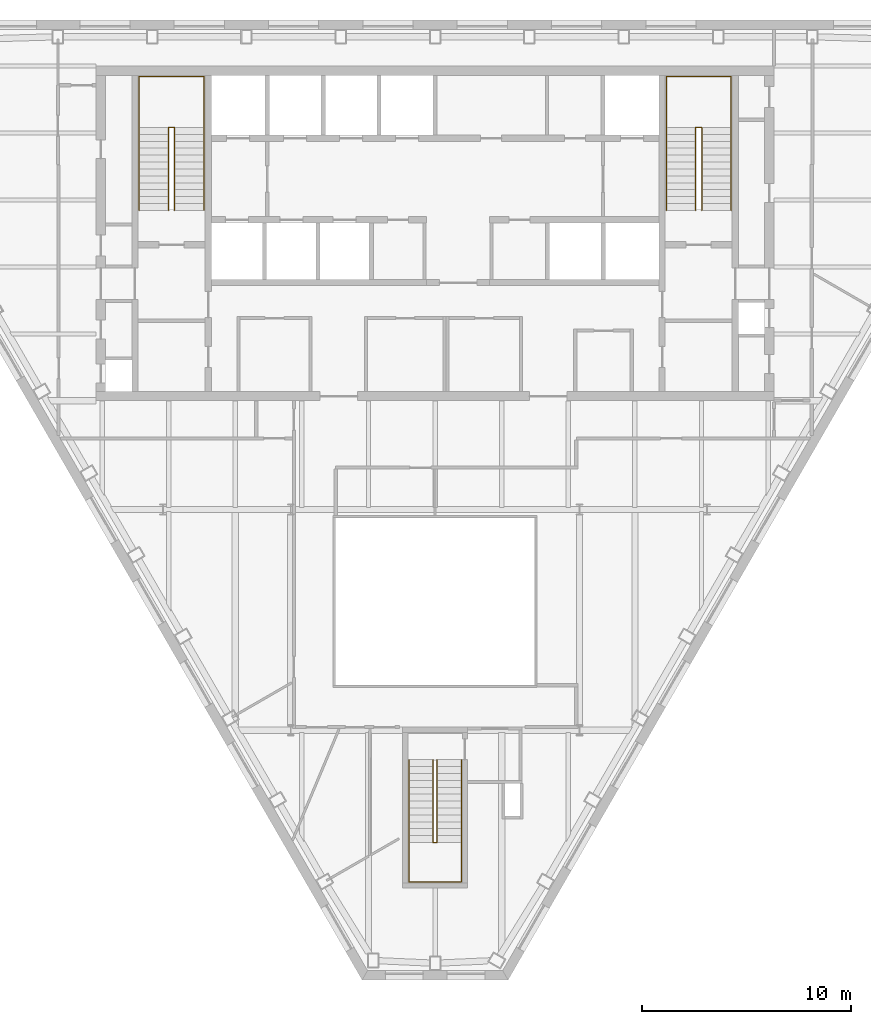
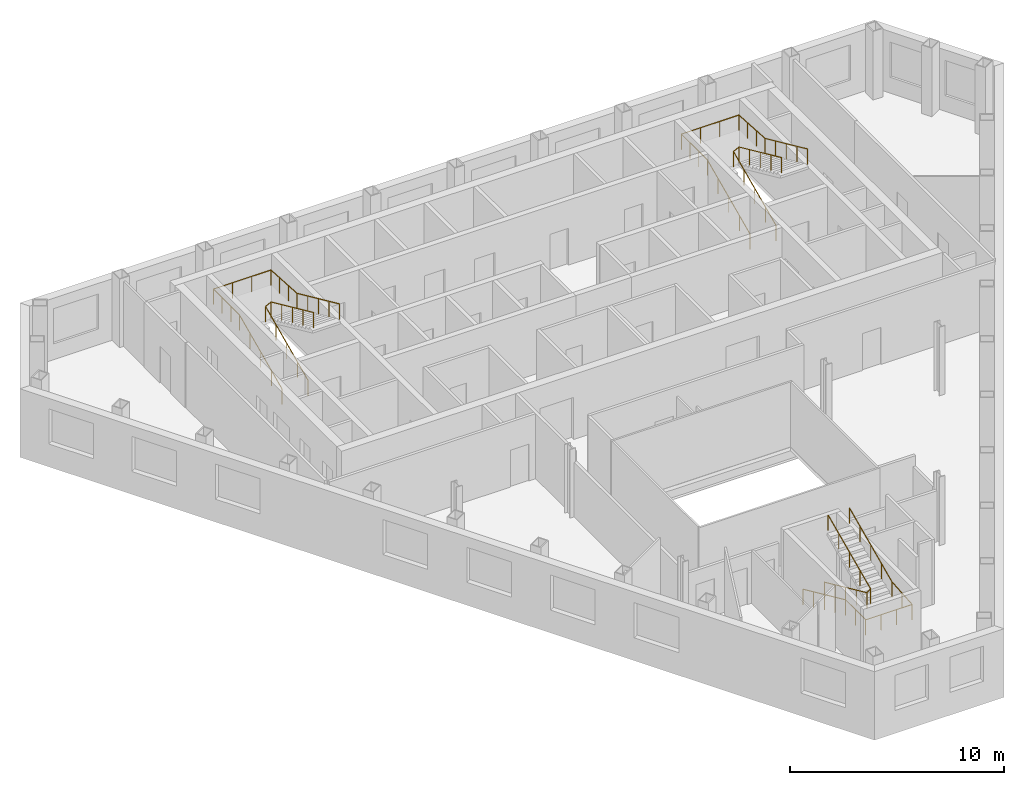
# One storey, part 11 of 11: 6 railings.
"""IFC4 building model written with IfcOpenShell, lengths in metres."""

from ifc_helpers import new_model, si_unit, direction, frame, origin, origin_2d, place, context, subcontext, project, spatial, circle, extrude, material, type_object, element, save


model = new_model("IFC4")

# Units and contexts
model_context = context("Model", 3, precision=1e-05, world=origin(), true_north=direction((0.0, 1.0)))
body_context = subcontext(model_context, "Body", "Model", "MODEL_VIEW")
ifc_project = project(units=[si_unit("LENGTHUNIT", "METRE"), si_unit("AREAUNIT", "SQUARE_METRE"), si_unit("VOLUMEUNIT", "CUBIC_METRE"), si_unit("PLANEANGLEUNIT", "RADIAN"), si_unit("MASSUNIT", "GRAM", prefix="KILO")], contexts=[model_context])

# Site, building, storey
site_placement = place(None, origin())
site = spatial("IfcSite", under=ifc_project, at=site_placement, CompositionType="ELEMENT")
building_placement = place(site_placement, origin())
building = spatial("IfcBuilding", under=site, at=building_placement, Name="Njiva Tower", CompositionType="ELEMENT")
storey_placement = place(building_placement, frame((0.0, 0.0, 219.9)))
storey = spatial("IfcBuildingStorey", under=building, at=storey_placement, Name="L49", CompositionType="ELEMENT", Elevation=219.9)

# Railings
ifc_material = material(Name="Stainless steel", Category="steel")
railing_type = type_object("IfcRailingType", Name="RL1 Stair handrail 900", PredefinedType="HANDRAIL", material=ifc_material)
railing_1_placement = place(storey_placement, frame((-14.15, 11.1, 0.15)))
element("IfcRailing", 1, at=railing_1_placement, inside=storey, type_object=railing_type, Name="Stair A handrail", PredefinedType="HANDRAIL", context=body_context, shape_type="SweptSolid", body=[
    extrude(circle(Radius=0.024, at=origin_2d()), frame((0.0, 0.0, 0.876), z_axis=(0.0, 0.910366477463, 0.413802944301), x_axis=(-1.0, 0.0, 0.0)), (0.0, 0.0, 1.0), 4.3499),
    extrude(circle(Radius=0.024, at=origin_2d()), frame((0.0, 3.96, 2.676), z_axis=(0.0, 1.0, 0.0), x_axis=(-1.0, 0.0, 0.0)), (0.0, 0.0, 1.0), 2.44),
    extrude(circle(Radius=0.024, at=origin_2d()), frame((0.0, 6.4, 2.676), z_axis=(1.0, 0.0, 0.0), x_axis=(0.0, 1.0, 0.0)), (0.0, 0.0, 1.0), 3.1),
    extrude(circle(Radius=0.024, at=origin_2d()), frame((3.1, 6.4, 2.676), z_axis=(0.0, -0.998115726137, 0.061359573328), x_axis=(1.0, 0.0, 0.0)), (0.0, 0.0, 1.0), 2.4446),
    extrude(circle(Radius=0.024, at=origin_2d()), frame((3.1, 3.96, 2.826), z_axis=(0.0, -0.910366477463, 0.413802944301), x_axis=(1.0, 0.0, 0.0)), (0.0, 0.0, 1.0), 4.3499),
    extrude(circle(Radius=0.021, at=origin_2d()), origin(), (0.0, 0.0, 1.0), 0.852),
    extrude(circle(Radius=0.021, at=origin_2d()), frame((0.0, 0.99, 0.45)), (0.0, 0.0, 1.0), 0.852),
    extrude(circle(Radius=0.021, at=origin_2d()), frame((0.0, 1.98, 0.9)), (0.0, 0.0, 1.0), 0.852),
    extrude(circle(Radius=0.021, at=origin_2d()), frame((0.0, 2.97, 1.35)), (0.0, 0.0, 1.0), 0.852),
    extrude(circle(Radius=0.021, at=origin_2d()), frame((0.0, 3.96, 1.8)), (0.0, 0.0, 1.0), 0.852),
    extrude(circle(Radius=0.021, at=origin_2d()), frame((0.0, 4.7733, 1.8)), (0.0, 0.0, 1.0), 0.852),
    extrude(circle(Radius=0.021, at=origin_2d()), frame((0.0, 5.5867, 1.8)), (0.0, 0.0, 1.0), 0.852),
    extrude(circle(Radius=0.021, at=origin_2d()), frame((0.0, 6.4, 1.8)), (0.0, 0.0, 1.0), 0.852),
    extrude(circle(Radius=0.021, at=origin_2d()), frame((1.0333, 6.4, 1.8)), (0.0, 0.0, 1.0), 0.852),
    extrude(circle(Radius=0.021, at=origin_2d()), frame((2.0667, 6.4, 1.8)), (0.0, 0.0, 1.0), 0.852),
    extrude(circle(Radius=0.021, at=origin_2d()), frame((3.1, 6.4, 1.8)), (0.0, 0.0, 1.0), 0.852),
    extrude(circle(Radius=0.021, at=origin_2d()), frame((3.1, 5.5867, 1.85)), (0.0, 0.0, 1.0), 0.852),
    extrude(circle(Radius=0.021, at=origin_2d()), frame((3.1, 4.7733, 1.9)), (0.0, 0.0, 1.0), 0.852),
    extrude(circle(Radius=0.021, at=origin_2d()), frame((3.1, 3.96, 1.95)), (0.0, 0.0, 1.0), 0.852),
    extrude(circle(Radius=0.021, at=origin_2d()), frame((3.1, 2.97, 2.4)), (0.0, 0.0, 1.0), 0.852),
    extrude(circle(Radius=0.021, at=origin_2d()), frame((3.1, 1.98, 2.85)), (0.0, 0.0, 1.0), 0.852),
    extrude(circle(Radius=0.021, at=origin_2d()), frame((3.1, 0.99, 3.3)), (0.0, 0.0, 1.0), 0.852),
    extrude(circle(Radius=0.021, at=origin_2d()), frame((3.1, 0.0, 3.75)), (0.0, 0.0, 1.0), 0.852),
])
railing_2_placement = place(storey_placement, frame((-12.75, 11.1, 0.15)))
element("IfcRailing", 2, at=railing_2_placement, inside=storey, type_object=railing_type, Name="Stair A handrail", PredefinedType="HANDRAIL", context=body_context, shape_type="SweptSolid", body=[
    extrude(circle(Radius=0.024, at=origin_2d()), frame((0.0, 0.0, 0.876), z_axis=(0.0, 0.910366477463, 0.413802944301), x_axis=(-1.0, 0.0, 0.0)), (0.0, 0.0, 1.0), 4.3499),
    extrude(circle(Radius=0.024, at=origin_2d()), frame((0.0, 3.96, 2.676), z_axis=(0.894427191, 0.0, 0.4472135955), x_axis=(0.0, 1.0, 0.0)), (0.0, 0.0, 1.0), 0.3354),
    extrude(circle(Radius=0.024, at=origin_2d()), frame((0.3, 3.96, 2.826), z_axis=(0.0, -0.910366477463, 0.413802944301), x_axis=(1.0, 0.0, 0.0)), (0.0, 0.0, 1.0), 4.3499),
    extrude(circle(Radius=0.021, at=origin_2d()), origin(), (0.0, 0.0, 1.0), 0.852),
    extrude(circle(Radius=0.021, at=origin_2d()), frame((0.0, 0.99, 0.45)), (0.0, 0.0, 1.0), 0.852),
    extrude(circle(Radius=0.021, at=origin_2d()), frame((0.0, 1.98, 0.9)), (0.0, 0.0, 1.0), 0.852),
    extrude(circle(Radius=0.021, at=origin_2d()), frame((0.0, 2.97, 1.35)), (0.0, 0.0, 1.0), 0.852),
    extrude(circle(Radius=0.021, at=origin_2d()), frame((0.0, 3.96, 1.8)), (0.0, 0.0, 1.0), 0.852),
    extrude(circle(Radius=0.021, at=origin_2d()), frame((0.3, 3.96, 1.95)), (0.0, 0.0, 1.0), 0.852),
    extrude(circle(Radius=0.021, at=origin_2d()), frame((0.3, 2.97, 2.4)), (0.0, 0.0, 1.0), 0.852),
    extrude(circle(Radius=0.021, at=origin_2d()), frame((0.3, 1.98, 2.85)), (0.0, 0.0, 1.0), 0.852),
    extrude(circle(Radius=0.021, at=origin_2d()), frame((0.3, 0.99, 3.3)), (0.0, 0.0, 1.0), 0.852),
    extrude(circle(Radius=0.021, at=origin_2d()), frame((0.3, 0.0, 3.75)), (0.0, 0.0, 1.0), 0.852),
])
railing_3_placement = place(storey_placement, frame((11.05, 11.1, 0.15)))
element("IfcRailing", 3, at=railing_3_placement, inside=storey, type_object=railing_type, Name="Stair B handrail", PredefinedType="HANDRAIL", context=body_context, shape_type="SweptSolid", body=[
    extrude(circle(Radius=0.024, at=origin_2d()), frame((0.0, 0.0, 0.876), z_axis=(0.0, 0.910366477463, 0.413802944301), x_axis=(-1.0, 0.0, 0.0)), (0.0, 0.0, 1.0), 4.3499),
    extrude(circle(Radius=0.024, at=origin_2d()), frame((0.0, 3.96, 2.676), z_axis=(0.0, 1.0, 0.0), x_axis=(-1.0, 0.0, 0.0)), (0.0, 0.0, 1.0), 2.44),
    extrude(circle(Radius=0.024, at=origin_2d()), frame((0.0, 6.4, 2.676), z_axis=(1.0, 0.0, 0.0), x_axis=(0.0, 1.0, 0.0)), (0.0, 0.0, 1.0), 3.1),
    extrude(circle(Radius=0.024, at=origin_2d()), frame((3.1, 6.4, 2.676), z_axis=(0.0, -0.998115726137, 0.061359573328), x_axis=(1.0, 0.0, 0.0)), (0.0, 0.0, 1.0), 2.4446),
    extrude(circle(Radius=0.024, at=origin_2d()), frame((3.1, 3.96, 2.826), z_axis=(0.0, -0.910366477463, 0.413802944301), x_axis=(1.0, 0.0, 0.0)), (0.0, 0.0, 1.0), 4.3499),
    extrude(circle(Radius=0.021, at=origin_2d()), origin(), (0.0, 0.0, 1.0), 0.852),
    extrude(circle(Radius=0.021, at=origin_2d()), frame((0.0, 0.99, 0.45)), (0.0, 0.0, 1.0), 0.852),
    extrude(circle(Radius=0.021, at=origin_2d()), frame((0.0, 1.98, 0.9)), (0.0, 0.0, 1.0), 0.852),
    extrude(circle(Radius=0.021, at=origin_2d()), frame((0.0, 2.97, 1.35)), (0.0, 0.0, 1.0), 0.852),
    extrude(circle(Radius=0.021, at=origin_2d()), frame((0.0, 3.96, 1.8)), (0.0, 0.0, 1.0), 0.852),
    extrude(circle(Radius=0.021, at=origin_2d()), frame((0.0, 4.7733, 1.8)), (0.0, 0.0, 1.0), 0.852),
    extrude(circle(Radius=0.021, at=origin_2d()), frame((0.0, 5.5867, 1.8)), (0.0, 0.0, 1.0), 0.852),
    extrude(circle(Radius=0.021, at=origin_2d()), frame((0.0, 6.4, 1.8)), (0.0, 0.0, 1.0), 0.852),
    extrude(circle(Radius=0.021, at=origin_2d()), frame((1.0333, 6.4, 1.8)), (0.0, 0.0, 1.0), 0.852),
    extrude(circle(Radius=0.021, at=origin_2d()), frame((2.0667, 6.4, 1.8)), (0.0, 0.0, 1.0), 0.852),
    extrude(circle(Radius=0.021, at=origin_2d()), frame((3.1, 6.4, 1.8)), (0.0, 0.0, 1.0), 0.852),
    extrude(circle(Radius=0.021, at=origin_2d()), frame((3.1, 5.5867, 1.85)), (0.0, 0.0, 1.0), 0.852),
    extrude(circle(Radius=0.021, at=origin_2d()), frame((3.1, 4.7733, 1.9)), (0.0, 0.0, 1.0), 0.852),
    extrude(circle(Radius=0.021, at=origin_2d()), frame((3.1, 3.96, 1.95)), (0.0, 0.0, 1.0), 0.852),
    extrude(circle(Radius=0.021, at=origin_2d()), frame((3.1, 2.97, 2.4)), (0.0, 0.0, 1.0), 0.852),
    extrude(circle(Radius=0.021, at=origin_2d()), frame((3.1, 1.98, 2.85)), (0.0, 0.0, 1.0), 0.852),
    extrude(circle(Radius=0.021, at=origin_2d()), frame((3.1, 0.99, 3.3)), (0.0, 0.0, 1.0), 0.852),
    extrude(circle(Radius=0.021, at=origin_2d()), frame((3.1, 0.0, 3.75)), (0.0, 0.0, 1.0), 0.852),
])
railing_4_placement = place(storey_placement, frame((12.45, 11.1, 0.15)))
element("IfcRailing", 4, at=railing_4_placement, inside=storey, type_object=railing_type, Name="Stair B handrail", PredefinedType="HANDRAIL", context=body_context, shape_type="SweptSolid", body=[
    extrude(circle(Radius=0.024, at=origin_2d()), frame((0.0, 0.0, 0.876), z_axis=(0.0, 0.910366477463, 0.413802944301), x_axis=(-1.0, 0.0, 0.0)), (0.0, 0.0, 1.0), 4.3499),
    extrude(circle(Radius=0.024, at=origin_2d()), frame((0.0, 3.96, 2.676), z_axis=(0.894427191, 0.0, 0.4472135955), x_axis=(0.0, 1.0, 0.0)), (0.0, 0.0, 1.0), 0.3354),
    extrude(circle(Radius=0.024, at=origin_2d()), frame((0.3, 3.96, 2.826), z_axis=(0.0, -0.910366477463, 0.413802944301), x_axis=(1.0, 0.0, 0.0)), (0.0, 0.0, 1.0), 4.3499),
    extrude(circle(Radius=0.021, at=origin_2d()), origin(), (0.0, 0.0, 1.0), 0.852),
    extrude(circle(Radius=0.021, at=origin_2d()), frame((0.0, 0.99, 0.45)), (0.0, 0.0, 1.0), 0.852),
    extrude(circle(Radius=0.021, at=origin_2d()), frame((0.0, 1.98, 0.9)), (0.0, 0.0, 1.0), 0.852),
    extrude(circle(Radius=0.021, at=origin_2d()), frame((0.0, 2.97, 1.35)), (0.0, 0.0, 1.0), 0.852),
    extrude(circle(Radius=0.021, at=origin_2d()), frame((0.0, 3.96, 1.8)), (0.0, 0.0, 1.0), 0.852),
    extrude(circle(Radius=0.021, at=origin_2d()), frame((0.3, 3.96, 1.95)), (0.0, 0.0, 1.0), 0.852),
    extrude(circle(Radius=0.021, at=origin_2d()), frame((0.3, 2.97, 2.4)), (0.0, 0.0, 1.0), 0.852),
    extrude(circle(Radius=0.021, at=origin_2d()), frame((0.3, 1.98, 2.85)), (0.0, 0.0, 1.0), 0.852),
    extrude(circle(Radius=0.021, at=origin_2d()), frame((0.3, 0.99, 3.3)), (0.0, 0.0, 1.0), 0.852),
    extrude(circle(Radius=0.021, at=origin_2d()), frame((0.3, 0.0, 3.75)), (0.0, 0.0, 1.0), 0.852),
])
railing_5_placement = place(storey_placement, frame((-1.25, -15.16, 0.15)))
element("IfcRailing", 5, at=railing_5_placement, inside=storey, type_object=railing_type, Name="Stair C handrail", PredefinedType="HANDRAIL", context=body_context, shape_type="SweptSolid", body=[
    extrude(circle(Radius=0.024, at=origin_2d()), frame((0.0, 0.0, 0.876), z_axis=(0.0, -0.910366477463, 0.413802944301), x_axis=(1.0, 0.0, 0.0)), (0.0, 0.0, 1.0), 4.3499),
    extrude(circle(Radius=0.024, at=origin_2d()), frame((0.0, -3.96, 2.676), z_axis=(0.0, -1.0, 0.0), x_axis=(1.0, 0.0, 0.0)), (0.0, 0.0, 1.0), 1.88),
    extrude(circle(Radius=0.024, at=origin_2d()), frame((0.0, -5.84, 2.676), z_axis=(1.0, 0.0, 0.0), x_axis=(0.0, 1.0, 0.0)), (0.0, 0.0, 1.0), 2.5),
    extrude(circle(Radius=0.024, at=origin_2d()), frame((2.5, -5.84, 2.676), z_axis=(0.0, 0.996832115713, 0.079534477318), x_axis=(-1.0, 0.0, 0.0)), (0.0, 0.0, 1.0), 1.886),
    extrude(circle(Radius=0.024, at=origin_2d()), frame((2.5, -3.96, 2.826), z_axis=(0.0, 0.910366477463, 0.413802944301), x_axis=(-1.0, 0.0, 0.0)), (0.0, 0.0, 1.0), 4.3499),
    extrude(circle(Radius=0.021, at=origin_2d()), origin(), (0.0, 0.0, 1.0), 0.852),
    extrude(circle(Radius=0.021, at=origin_2d()), frame((0.0, -0.99, 0.45)), (0.0, 0.0, 1.0), 0.852),
    extrude(circle(Radius=0.021, at=origin_2d()), frame((0.0, -1.98, 0.9)), (0.0, 0.0, 1.0), 0.852),
    extrude(circle(Radius=0.021, at=origin_2d()), frame((0.0, -2.97, 1.35)), (0.0, 0.0, 1.0), 0.852),
    extrude(circle(Radius=0.021, at=origin_2d()), frame((0.0, -3.96, 1.8)), (0.0, 0.0, 1.0), 0.852),
    extrude(circle(Radius=0.021, at=origin_2d()), frame((0.0, -4.9, 1.8)), (0.0, 0.0, 1.0), 0.852),
    extrude(circle(Radius=0.021, at=origin_2d()), frame((0.0, -5.84, 1.8)), (0.0, 0.0, 1.0), 0.852),
    extrude(circle(Radius=0.021, at=origin_2d()), frame((0.8333, -5.84, 1.8)), (0.0, 0.0, 1.0), 0.852),
    extrude(circle(Radius=0.021, at=origin_2d()), frame((1.6667, -5.84, 1.8)), (0.0, 0.0, 1.0), 0.852),
    extrude(circle(Radius=0.021, at=origin_2d()), frame((2.5, -5.84, 1.8)), (0.0, 0.0, 1.0), 0.852),
    extrude(circle(Radius=0.021, at=origin_2d()), frame((2.5, -4.9, 1.875)), (0.0, 0.0, 1.0), 0.852),
    extrude(circle(Radius=0.021, at=origin_2d()), frame((2.5, -3.96, 1.95)), (0.0, 0.0, 1.0), 0.852),
    extrude(circle(Radius=0.021, at=origin_2d()), frame((2.5, -2.97, 2.4)), (0.0, 0.0, 1.0), 0.852),
    extrude(circle(Radius=0.021, at=origin_2d()), frame((2.5, -1.98, 2.85)), (0.0, 0.0, 1.0), 0.852),
    extrude(circle(Radius=0.021, at=origin_2d()), frame((2.5, -0.99, 3.3)), (0.0, 0.0, 1.0), 0.852),
    extrude(circle(Radius=0.021, at=origin_2d()), frame((2.5, 0.0, 3.75)), (0.0, 0.0, 1.0), 0.852),
])
railing_6_placement = place(storey_placement, frame((-0.1, -15.16, 0.15)))
element("IfcRailing", 6, at=railing_6_placement, inside=storey, type_object=railing_type, Name="Stair C handrail", PredefinedType="HANDRAIL", context=body_context, shape_type="SweptSolid", body=[
    extrude(circle(Radius=0.024, at=origin_2d()), frame((0.0, 0.0, 0.876), z_axis=(0.0, -0.910366477463, 0.413802944301), x_axis=(1.0, 0.0, 0.0)), (0.0, 0.0, 1.0), 4.3499),
    extrude(circle(Radius=0.024, at=origin_2d()), frame((0.0, -3.96, 2.676), z_axis=(0.8, 0.0, 0.6), x_axis=(0.0, 1.0, 0.0)), (0.0, 0.0, 1.0), 0.25),
    extrude(circle(Radius=0.024, at=origin_2d()), frame((0.2, -3.96, 2.826), z_axis=(0.0, 0.910366477463, 0.413802944301), x_axis=(-1.0, 0.0, 0.0)), (0.0, 0.0, 1.0), 4.3499),
    extrude(circle(Radius=0.021, at=origin_2d()), origin(), (0.0, 0.0, 1.0), 0.852),
    extrude(circle(Radius=0.021, at=origin_2d()), frame((0.0, -0.99, 0.45)), (0.0, 0.0, 1.0), 0.852),
    extrude(circle(Radius=0.021, at=origin_2d()), frame((0.0, -1.98, 0.9)), (0.0, 0.0, 1.0), 0.852),
    extrude(circle(Radius=0.021, at=origin_2d()), frame((0.0, -2.97, 1.35)), (0.0, 0.0, 1.0), 0.852),
    extrude(circle(Radius=0.021, at=origin_2d()), frame((0.0, -3.96, 1.8)), (0.0, 0.0, 1.0), 0.852),
    extrude(circle(Radius=0.021, at=origin_2d()), frame((0.2, -3.96, 1.95)), (0.0, 0.0, 1.0), 0.852),
    extrude(circle(Radius=0.021, at=origin_2d()), frame((0.2, -2.97, 2.4)), (0.0, 0.0, 1.0), 0.852),
    extrude(circle(Radius=0.021, at=origin_2d()), frame((0.2, -1.98, 2.85)), (0.0, 0.0, 1.0), 0.852),
    extrude(circle(Radius=0.021, at=origin_2d()), frame((0.2, -0.99, 3.3)), (0.0, 0.0, 1.0), 0.852),
    extrude(circle(Radius=0.021, at=origin_2d()), frame((0.2, 0.0, 3.75)), (0.0, 0.0, 1.0), 0.852),
])

save(model, "model.ifc")
